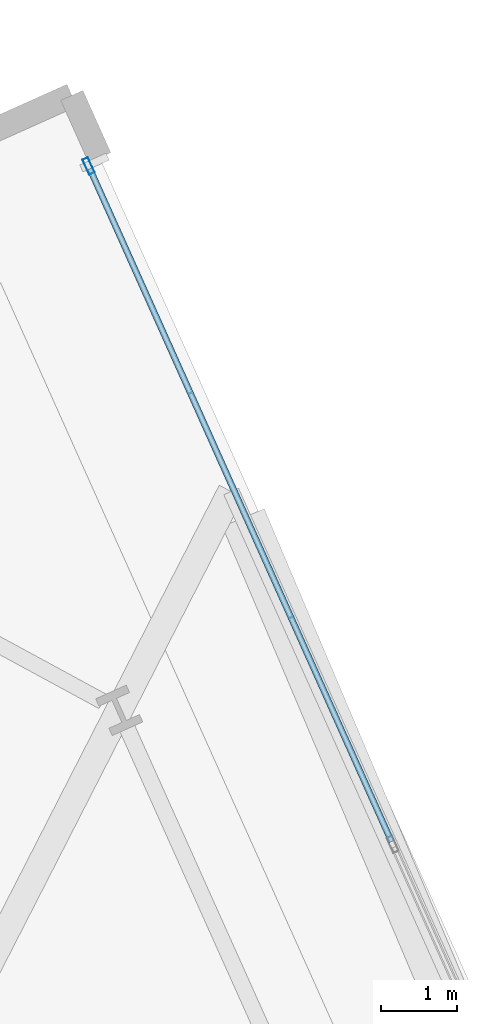
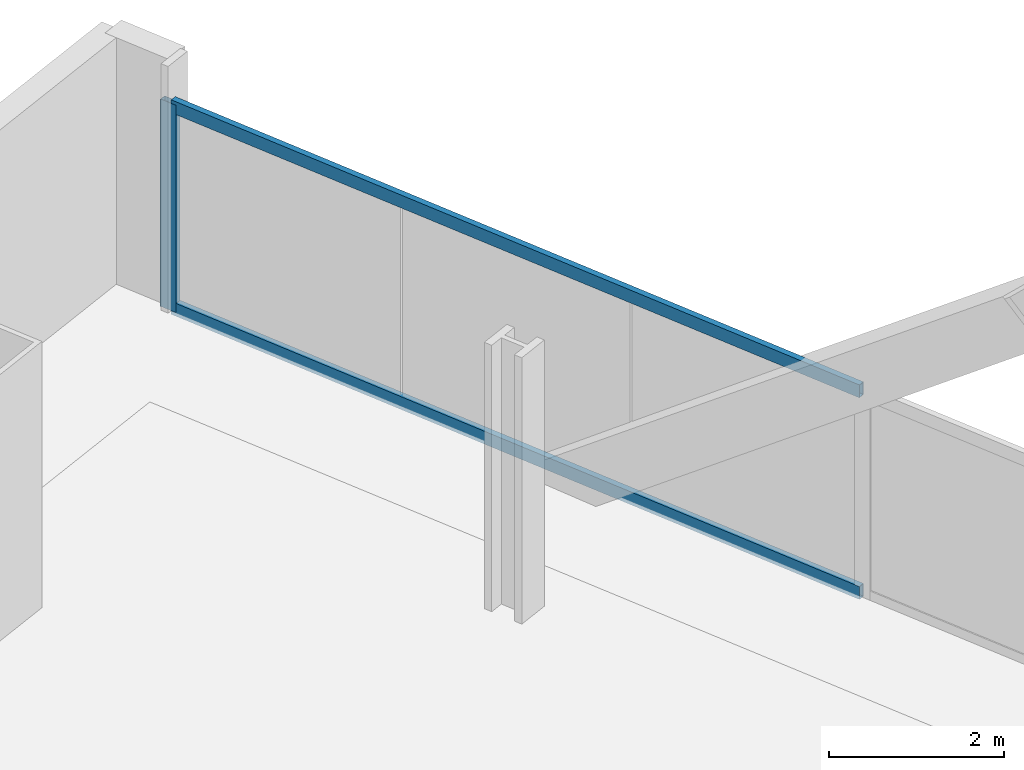
# One storey, part 25 of 38: 3 members, 1 element without a shape of its own.
"""IFC4 building model written with IfcOpenShell, lengths in metres."""

import ifcopenshell
import ifcopenshell.guid

model = None  # the IFC model being written
_history = None  # IfcOwnerHistory: only IFC2X3 demands one
_inside = {}  # id of a spatial element -> (the spatial element, [elements in it])
_under = {}  # id of a project, library or spatial element -> (it, [spatial elements below it])
_declared = {}  # id of a project -> (the project, [libraries it declares])
_typed = {}  # id of a type object -> (the type object, [elements of that type])
_made_of = {}  # id of a material, layer set ... -> (it, [elements and type objects made of it])


def new_model(schema):
    """Start an empty IFC model of exactly this schema.

    Asked for "IFC4X3", IfcOpenShell would pick the latest addendum, in which some entities
    have other attributes; the version numbers below select the first issue.
    IFC2X3 requires an IfcOwnerHistory on every rooted entity: one is made here for all.
    """
    global model, _history
    if schema == "IFC4X3":
        model = ifcopenshell.file(schema_version=(4, 3, 0, 0))
    else:
        model = ifcopenshell.file(schema=schema)
    _inside.clear()
    _under.clear()
    _declared.clear()
    _typed.clear()
    _made_of.clear()
    _history = None
    if model.schema == "IFC2X3":
        org = make("IfcOrganization", Name="unknown")
        user = make(
            "IfcPersonAndOrganization",
            ThePerson=make("IfcPerson", FamilyName="unknown"),
            TheOrganization=org,
        )
        app = make(
            "IfcApplication",
            ApplicationDeveloper=org,
            Version="unknown",
            ApplicationFullName="unknown",
            ApplicationIdentifier="unknown",
        )
        _history = make(
            "IfcOwnerHistory",
            OwningUser=user,
            OwningApplication=app,
            ChangeAction="ADDED",
            CreationDate=0,
        )
    return model


def make(cls, **values):
    """One entity of the class cls with the attributes given. An attribute that is None is left unset."""
    return model.create_entity(
        cls, **{name: value for name, value in values.items() if value is not None}
    )


def rooted(cls, **values):
    """An entity with a GlobalId (a new one), such as an element, a storey or a relation."""
    return make(cls, GlobalId=ifcopenshell.guid.new(), OwnerHistory=_history, **values)


def si_unit(unit_type, name, prefix=None):
    """IfcSIUnit, for example si_unit("LENGTHUNIT", "METRE", prefix="MILLI")."""
    return make("IfcSIUnit", UnitType=unit_type, Prefix=prefix, Name=name)


def assignment(units):
    """IfcUnitAssignment: the units of a project."""
    return None if units is None else make("IfcUnitAssignment", Units=units)


def point(xyz):
    """IfcCartesianPoint."""
    return None if xyz is None else make("IfcCartesianPoint", Coordinates=xyz)


def direction(xyz):
    """IfcDirection."""
    return None if xyz is None else make("IfcDirection", DirectionRatios=xyz)


def frame(location, z_axis=None, x_axis=None):
    """IfcAxis2Placement3D, a coordinate frame: its origin and axes. An axis left out is left unset."""
    return make(
        "IfcAxis2Placement3D",
        Location=point(location),
        Axis=direction(z_axis),
        RefDirection=direction(x_axis),
    )


def frame_2d(location, x_axis=None):
    """IfcAxis2Placement2D, a coordinate frame in the plane: its origin and x axis."""
    return make(
        "IfcAxis2Placement2D", Location=point(location), RefDirection=direction(x_axis)
    )


def origin():
    """The frame at (0, 0, 0) with its axes left unset."""
    return frame((0.0, 0.0, 0.0))


def origin_2d():
    """The frame at (0, 0) in the plane with its x axis left unset."""
    return frame_2d((0.0, 0.0))


def place(relative_to, where):
    """IfcLocalPlacement: puts the frame where relative to a parent placement (None: the world)."""
    return make(
        "IfcLocalPlacement", PlacementRelTo=relative_to, RelativePlacement=where
    )


def context(
    kind, dimensions, precision=None, world=None, true_north=None, identifier=None
):
    """IfcGeometricRepresentationContext, for example the 3D "Model" context."""
    return make(
        "IfcGeometricRepresentationContext",
        ContextIdentifier=identifier,
        ContextType=kind,
        CoordinateSpaceDimension=dimensions,
        Precision=precision,
        WorldCoordinateSystem=world,
        TrueNorth=true_north,
    )


def subcontext(parent, identifier, kind, view, scale=None):
    """IfcGeometricRepresentationSubContext, for example "Body" below "Model"."""
    return make(
        "IfcGeometricRepresentationSubContext",
        ContextIdentifier=identifier,
        ContextType=kind,
        ParentContext=parent,
        TargetScale=scale,
        TargetView=view,
    )


def project(units=None, contexts=None):
    """IfcProject with its units and contexts."""
    return rooted(
        "IfcProject",
        Name="project",
        RepresentationContexts=contexts,
        UnitsInContext=assignment(units),
    )


def spatial(cls, under=None, at=None, **own):
    """A site, building, storey or space (cls), placed at a placement, below another one or the project."""
    s = rooted(cls, ObjectPlacement=at, **own)
    if under is not None:
        _under.setdefault(under.id(), (under, []))[1].append(s)
    return s


def profile(cls, at=None, kind="AREA", **sizes):
    """A parametric profile (cls). Its sizes go by their IFC names, for example OverallWidth=200.0."""
    return make(cls, ProfileType=kind, Position=at, **sizes)


def hollow_rectangle(**sizes):
    """IfcRectangleHollowProfileDef."""
    return profile("IfcRectangleHollowProfileDef", **sizes)


def extrude(swept, where, along, depth):
    """IfcExtrudedAreaSolid: the profile swept, set in the frame where, extruded along a direction by depth."""
    return make(
        "IfcExtrudedAreaSolid",
        SweptArea=swept,
        Position=where,
        ExtrudedDirection=direction(along),
        Depth=depth,
    )


def shape(context_of_items, identifier, shape_type, items):
    """IfcShapeRepresentation: the items that make up one representation, for example the "Body"."""
    return make(
        "IfcShapeRepresentation",
        ContextOfItems=context_of_items,
        RepresentationIdentifier=identifier,
        RepresentationType=shape_type,
        Items=items,
    )


def material(Name=None, Category=None):
    """IfcMaterial."""
    return make("IfcMaterial", Name=Name, Category=Category)


def material_profile(
    of_material, cross_section, Name=None, Category=None, Priority=None
):
    """IfcMaterialProfile: a cross section and its material."""
    return make(
        "IfcMaterialProfile",
        Name=Name,
        Material=of_material,
        Profile=cross_section,
        Priority=Priority,
        Category=Category,
    )


def profile_set(profiles, Name=None, composite=None):
    """IfcMaterialProfileSet."""
    return make(
        "IfcMaterialProfileSet",
        Name=Name,
        MaterialProfiles=profiles,
        CompositeProfile=composite,
    )


def made_of(thing, what):
    """Note that an element or type object is made of a material, layer set ...; save() writes the relation."""
    if what is not None:
        _made_of.setdefault(what.id(), (what, []))[1].append(thing)
    return thing


def type_object(cls, material=None, **own):
    """A type object (cls), such as IfcWallType, which elements share."""
    return made_of(rooted(cls, **own), material)


def element(
    cls,
    number,
    at=None,
    inside=None,
    cuts=None,
    type_object=None,
    material=None,
    context=None,
    identifier="Body",
    shape_type=None,
    held_by="IfcProductDefinitionShape",
    body=None,
    shapes=None,
    **own,
):
    """One element of the class cls, such as IfcWall. Its Tag is "e" and its number.

    at: its placement. inside: the storey or other place that contains it. cuts: it is an
    opening in that element (IfcRelVoidsElement). A single representation is given by context,
    identifier, shape_type and body (its items); several are given by shapes. held_by: the class
    of the entity that holds the representations. save() writes the other relations.
    """
    e = rooted(cls, Tag="e%d" % number, ObjectPlacement=at, **own)
    if body is not None:
        shapes = [shape(context, identifier, shape_type, body)]
    if shapes is not None:
        e.Representation = make(held_by, Representations=shapes)
    if inside is not None:
        _inside.setdefault(inside.id(), (inside, []))[1].append(e)
    if cuts is not None:
        rooted(
            "IfcRelVoidsElement", RelatingBuildingElement=cuts, RelatedOpeningElement=e
        )
    if type_object is not None:
        _typed.setdefault(type_object.id(), (type_object, []))[1].append(e)
    return made_of(e, material)


def aggregate(whole, parts):
    """IfcRelAggregates: a whole, such as a stair, and the parts it consists of."""
    return rooted("IfcRelAggregates", RelatingObject=whole, RelatedObjects=parts)


def save(model, path):
    """Write the relations noted so far, then the file.

    IfcRelAggregates (storeys below a building ...), IfcRelContainedInSpatialStructure (elements
    in a storey), IfcRelDefinesByType, IfcRelAssociatesMaterial and IfcRelDeclares: one each for
    every whole, place, type object, material and project.
    """
    for whole, parts in _under.values():
        aggregate(whole, parts)
    for where, things in _inside.values():
        rooted(
            "IfcRelContainedInSpatialStructure",
            RelatedElements=things,
            RelatingStructure=where,
        )
    for kind, things in _typed.values():
        rooted("IfcRelDefinesByType", RelatedObjects=things, RelatingType=kind)
    for what, things in _made_of.values():
        rooted("IfcRelAssociatesMaterial", RelatedObjects=things, RelatingMaterial=what)
    for by, libraries in _declared.values():
        rooted("IfcRelDeclares", RelatingContext=by, RelatedDefinitions=libraries)
    model.write(path)


model = new_model("IFC4")

# Units and contexts
model_context = context("Model", 3, precision=1e-05, world=origin(), true_north=direction((0.0, 1.0)))
body_context = subcontext(model_context, "Body", "Model", "MODEL_VIEW")
ifc_project = project(units=[si_unit("LENGTHUNIT", "METRE"), si_unit("AREAUNIT", "SQUARE_METRE"), si_unit("VOLUMEUNIT", "CUBIC_METRE"), si_unit("PLANEANGLEUNIT", "RADIAN"), si_unit("MASSUNIT", "GRAM", prefix="KILO")], contexts=[model_context])

# Site, building, storey
site_placement = place(None, origin())
site = spatial("IfcSite", under=ifc_project, at=site_placement, CompositionType="ELEMENT")
building_placement = place(site_placement, origin())
building = spatial("IfcBuilding", under=site, at=building_placement, Name="Haldenkirk Collegiate Tower", CompositionType="ELEMENT")
storey_placement = place(building_placement, frame((0.0, 0.0, 109.199951171875)))
storey = spatial("IfcBuildingStorey", under=building, at=storey_placement, Name="L26", CompositionType="ELEMENT", Elevation=109.199951171875)

# Curtain wall, members
ifc_material = material(Name="Anodised architectural bronze aluminium", Category="aluminium")
curtain_wall_type = type_object("IfcCurtainWallType", Name="CW-SYS1-CONVEX-LOW", PredefinedType="USERDEFINED", material=ifc_material)
curtain_wall_placement = place(storey_placement, origin())
curtain_wall = element("IfcCurtainWall", 1, at=curtain_wall_placement, inside=storey, type_object=curtain_wall_type, Name="L26 Lower tower convex bronze-framed unitised curtain wall", ObjectType="UNITISED CURTAIN WALL", PredefinedType="USERDEFINED")
ifc_material_profile_1 = material_profile(ifc_material, hollow_rectangle(XDim=0.080078125, YDim=0.219970703125, WallThickness=0.0048828125, at=origin_2d()), Name="CW-MUL-1A")
ifc_profile_set_1 = profile_set([ifc_material_profile_1], Name="Anodised architectural bronze aluminium")
member_type_1 = type_object("IfcMemberType", Name="CW-MUL-1A", PredefinedType="MULLION", material=ifc_profile_set_1)
member_1_placement = place(storey_placement, frame((51.526123046875, 54.726318359375, 0.0), z_axis=(0.0, 0.0, 1.0), x_axis=(0.912476490018, 0.409129142403, 0.0)))
member_1 = element("IfcMember", 2, at=member_1_placement, type_object=member_type_1, Name="CW-1A mullion 1", PredefinedType="MULLION", context=body_context, shape_type="SweptSolid", body=[
    extrude(hollow_rectangle(XDim=0.080078125, YDim=0.219970703125, WallThickness=0.0048828125, at=origin_2d()), origin(), (0.0, 0.0, 1.0), 2.901123046875),
])
ifc_material_profile_2 = material_profile(ifc_material, hollow_rectangle(XDim=0.080078125, YDim=0.179931640625, WallThickness=0.0048828125, at=origin_2d()), Name="CW-TRN-1A")
ifc_profile_set_2 = profile_set([ifc_material_profile_2], Name="Anodised architectural bronze aluminium")
member_type_2 = type_object("IfcMemberType", Name="CW-TRN-1A", PredefinedType="USERDEFINED", material=ifc_profile_set_2)
member_2_placement = place(storey_placement, frame((51.54248046875, 54.68994140625, 0.0400390625), z_axis=(0.409139473947, -0.912471857571, 0.0), x_axis=(0.912471857571, 0.409139473947, 0.0)))
member_2 = element("IfcMember", 3, at=member_2_placement, type_object=member_type_2, Name="CW-1A transom 1.1", ObjectType="TRANSOM", PredefinedType="USERDEFINED", context=body_context, shape_type="SweptSolid", body=[
    extrude(hollow_rectangle(XDim=0.080078125, YDim=0.179931640625, WallThickness=0.0048828125, at=origin_2d()), origin(), (0.0, 0.0, 1.0), 9.72998046875),
])
member_3_placement = place(storey_placement, frame((51.54248046875, 54.68994140625, 2.861083984375), z_axis=(0.409139473947, -0.912471857571, 0.0), x_axis=(0.912471857571, 0.409139473947, 0.0)))
member_3 = element("IfcMember", 4, at=member_3_placement, type_object=member_type_2, Name="CW-1A transom 1.2", ObjectType="TRANSOM", PredefinedType="USERDEFINED", context=body_context, shape_type="SweptSolid", body=[
    extrude(hollow_rectangle(XDim=0.080078125, YDim=0.179931640625, WallThickness=0.0048828125, at=origin_2d()), origin(), (0.0, 0.0, 1.0), 9.72998046875),
])
aggregate(curtain_wall, [member_1, member_2, member_3])

save(model, "model.ifc")
